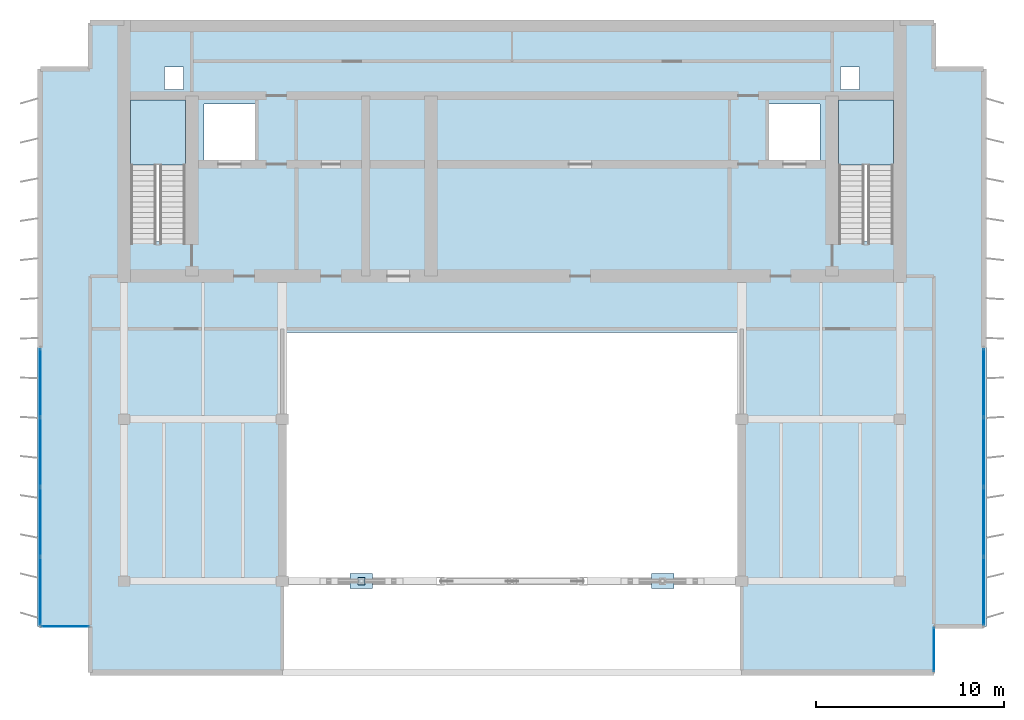
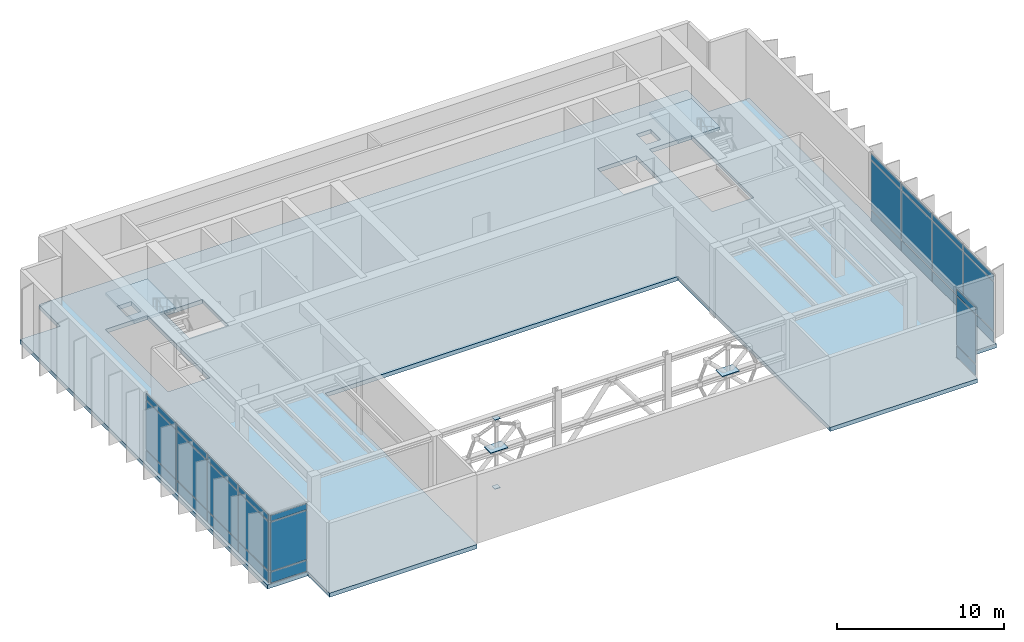
# One storey, part 5 of 10: 34 plates, 3 slabs, 6 elements without a shape of their own.
"""IFC4 building model written with IfcOpenShell, lengths in metres."""

from ifc_helpers import new_model, si_unit, direction, frame, origin, origin_2d, place, context, subcontext, project, spatial, polyline, rectangle, outline, extrude, material, layer, layer_set, type_object, element, aggregate, save


model = new_model("IFC4")

# Units and contexts
model_context = context("Model", 3, precision=1e-05, world=origin(), true_north=direction((0.0, 1.0)))
body_context = subcontext(model_context, "Body", "Model", "MODEL_VIEW")
ifc_project = project(units=[si_unit("LENGTHUNIT", "METRE"), si_unit("AREAUNIT", "SQUARE_METRE"), si_unit("VOLUMEUNIT", "CUBIC_METRE"), si_unit("PLANEANGLEUNIT", "RADIAN"), si_unit("MASSUNIT", "GRAM", prefix="KILO")], contexts=[model_context])

# Site, building, storey
site_placement = place(None, origin())
site = spatial("IfcSite", under=ifc_project, at=site_placement, CompositionType="ELEMENT")
building_placement = place(site_placement, origin())
building = spatial("IfcBuilding", under=site, at=building_placement, Name="Caelmar Bay Residences", CompositionType="ELEMENT")
storey_placement = place(building_placement, frame((0.0, 0.0, 284.800048828125)))
storey = spatial("IfcBuildingStorey", under=building, at=storey_placement, Name="L79", CompositionType="ELEMENT", Elevation=284.800048828125)

# Curtain wall, plates
ifc_material_1 = material(Name="Anodised bronze aluminium 6063-T6 and laminated glass", Category="aluminium")
ifc_layer_1 = layer(ifc_material_1, 0.179931640625)
ifc_layer_set_1 = layer_set([ifc_layer_1], Name="Anodised bronze aluminium 6063-T6 and laminated glass")
curtain_wall_type_1 = type_object("IfcCurtainWallType", Name="CW6-NTC", PredefinedType="NOTDEFINED", material=ifc_layer_set_1)
curtain_wall_1_placement = place(storey_placement, origin())
curtain_wall_1 = element("IfcCurtainWall", 1, at=curtain_wall_1_placement, inside=storey, type_object=curtain_wall_type_1, Name="CW6 curtain wall L79", PredefinedType="NOTDEFINED")
ifc_material_2 = material(Name="Bronze-tinted laminated low-E hurricane glass 28 mm", Category="glass")
ifc_layer_2 = layer(ifc_material_2, 0.028076171875)
ifc_layer_set_2 = layer_set([ifc_layer_2], Name="Bronze-tinted laminated low-E hurricane glass 28 mm")
plate_type_1 = type_object("IfcPlateType", Name="CWP-GLZ28", PredefinedType="CURTAIN_PANEL", material=ifc_layer_set_2)
plate_1_placement = place(storey_placement, frame((15.175048828125, 18.39990234375, 0.080078125), z_axis=(0.0, 0.0, 1.0), x_axis=(1.0, 0.0, 0.0)))
plate_1 = element("IfcPlate", 2, at=plate_1_placement, type_object=plate_type_1, Name="CW6 panel 1.1", PredefinedType="CURTAIN_PANEL", context=body_context, shape_type="SweptSolid", body=[
    extrude(rectangle(XDim=2.489990234375, YDim=0.028076171875, at=origin_2d()), origin(), (0.0, 0.0, 1.0), 0.780029296875),
])
plate_2_placement = place(storey_placement, frame((15.175048828125, 18.39990234375, 0.93994140625), z_axis=(0.0, 0.0, 1.0), x_axis=(1.0, 0.0, 0.0)))
plate_2 = element("IfcPlate", 3, at=plate_2_placement, type_object=plate_type_1, Name="CW6 panel 1.2", PredefinedType="CURTAIN_PANEL", context=body_context, shape_type="SweptSolid", body=[
    extrude(rectangle(XDim=2.489990234375, YDim=0.028076171875, at=origin_2d()), origin(), (0.0, 0.0, 1.0), 3.570068359375),
])
plate_3_placement = place(storey_placement, frame((15.175048828125, 18.39990234375, 4.58984375), z_axis=(0.0, 0.0, 1.0), x_axis=(1.0, 0.0, 0.0)))
plate_3 = element("IfcPlate", 4, at=plate_3_placement, type_object=plate_type_1, Name="CW6 panel 1.3", PredefinedType="CURTAIN_PANEL", context=body_context, shape_type="SweptSolid", body=[
    extrude(rectangle(XDim=2.489990234375, YDim=0.028076171875, at=origin_2d()), origin(), (0.0, 0.0, 1.0), 0.429931640625),
])
aggregate(curtain_wall_1, [plate_1, plate_2, plate_3])

curtain_wall_2_placement = place(storey_placement, origin())
curtain_wall_2 = element("IfcCurtainWall", 5, at=curtain_wall_2_placement, inside=storey, type_object=curtain_wall_type_1, Name="CW6 curtain wall L79", PredefinedType="NOTDEFINED")
plate_4_placement = place(storey_placement, frame((61.300048828125, 17.175048828125, 0.080078125), z_axis=(0.0, 0.0, 1.0), x_axis=(0.0, 1.0, 0.0)))
plate_4 = element("IfcPlate", 6, at=plate_4_placement, type_object=plate_type_1, Name="CW6 panel 1.1", PredefinedType="CURTAIN_PANEL", context=body_context, shape_type="SweptSolid", body=[
    extrude(rectangle(XDim=2.2900390625, YDim=0.028076171875, at=origin_2d()), origin(), (0.0, 0.0, 1.0), 0.780029296875),
])
plate_5_placement = place(storey_placement, frame((61.300048828125, 17.175048828125, 0.93994140625), z_axis=(0.0, 0.0, 1.0), x_axis=(0.0, 1.0, 0.0)))
plate_5 = element("IfcPlate", 7, at=plate_5_placement, type_object=plate_type_1, Name="CW6 panel 1.2", PredefinedType="CURTAIN_PANEL", context=body_context, shape_type="SweptSolid", body=[
    extrude(rectangle(XDim=2.2900390625, YDim=0.028076171875, at=origin_2d()), origin(), (0.0, 0.0, 1.0), 3.570068359375),
])
plate_6_placement = place(storey_placement, frame((61.300048828125, 17.175048828125, 4.58984375), z_axis=(0.0, 0.0, 1.0), x_axis=(0.0, 1.0, 0.0)))
plate_6 = element("IfcPlate", 8, at=plate_6_placement, type_object=plate_type_1, Name="CW6 panel 1.3", PredefinedType="CURTAIN_PANEL", context=body_context, shape_type="SweptSolid", body=[
    extrude(rectangle(XDim=2.2900390625, YDim=0.028076171875, at=origin_2d()), origin(), (0.0, 0.0, 1.0), 0.429931640625),
])
aggregate(curtain_wall_2, [plate_4, plate_5, plate_6])

ifc_layer_3 = layer(ifc_material_1, 0.179931640625)
ifc_layer_set_3 = layer_set([ifc_layer_3], Name="Anodised bronze aluminium 6063-T6 and laminated glass")
curtain_wall_type_2 = type_object("IfcCurtainWallType", Name="CW7-CRN", PredefinedType="NOTDEFINED", material=ifc_layer_set_3)
curtain_wall_3_placement = place(storey_placement, origin())
curtain_wall_3 = element("IfcCurtainWall", 9, at=curtain_wall_3_placement, inside=storey, type_object=curtain_wall_type_2, Name="CW7 curtain wall L79", PredefinedType="NOTDEFINED")
ifc_material_3 = material(Name="Bronze-tinted laminated low-E hurricane glass 32 mm", Category="glass")
ifc_layer_4 = layer(ifc_material_3, 0.031982421875)
ifc_layer_set_4 = layer_set([ifc_layer_4], Name="Bronze-tinted laminated low-E hurricane glass 32 mm")
plate_type_2 = type_object("IfcPlateType", Name="CWP-GLZ32", PredefinedType="CURTAIN_PANEL", material=ifc_layer_set_4)
plate_7_placement = place(storey_placement, frame((13.85009765625, 20.27001953125, 0.080078125), z_axis=(0.0, 0.0, 1.0), x_axis=(0.0, 1.0, 0.0)))
plate_7 = element("IfcPlate", 10, at=plate_7_placement, type_object=plate_type_2, Name="CW7 panel 1.1", PredefinedType="CURTAIN_PANEL", context=body_context, shape_type="SweptSolid", body=[
    extrude(rectangle(XDim=3.580078125, YDim=0.031982421875, at=origin_2d()), origin(), (0.0, 0.0, 1.0), 0.780029296875),
])
plate_8_placement = place(storey_placement, frame((13.85009765625, 20.27001953125, 0.93994140625), z_axis=(0.0, 0.0, 1.0), x_axis=(0.0, 1.0, 0.0)))
plate_8 = element("IfcPlate", 11, at=plate_8_placement, type_object=plate_type_2, Name="CW7 panel 1.2", PredefinedType="CURTAIN_PANEL", context=body_context, shape_type="SweptSolid", body=[
    extrude(rectangle(XDim=3.580078125, YDim=0.031982421875, at=origin_2d()), origin(), (0.0, 0.0, 1.0), 3.570068359375),
])
plate_9_placement = place(storey_placement, frame((13.85009765625, 20.27001953125, 4.58984375), z_axis=(0.0, 0.0, 1.0), x_axis=(0.0, 1.0, 0.0)))
plate_9 = element("IfcPlate", 12, at=plate_9_placement, type_object=plate_type_2, Name="CW7 panel 1.3", PredefinedType="CURTAIN_PANEL", context=body_context, shape_type="SweptSolid", body=[
    extrude(rectangle(XDim=3.580078125, YDim=0.031982421875, at=origin_2d()), origin(), (0.0, 0.0, 1.0), 0.429931640625),
])
plate_10_placement = place(storey_placement, frame((13.85009765625, 23.949951171875, 0.080078125), z_axis=(0.0, 0.0, 1.0), x_axis=(0.0, 1.0, 0.0)))
plate_10 = element("IfcPlate", 13, at=plate_10_placement, type_object=plate_type_2, Name="CW7 panel 2.1", PredefinedType="CURTAIN_PANEL", context=body_context, shape_type="SweptSolid", body=[
    extrude(rectangle(XDim=3.6201171875, YDim=0.031982421875, at=origin_2d()), origin(), (0.0, 0.0, 1.0), 0.780029296875),
])
plate_11_placement = place(storey_placement, frame((13.85009765625, 23.949951171875, 0.93994140625), z_axis=(0.0, 0.0, 1.0), x_axis=(0.0, 1.0, 0.0)))
plate_11 = element("IfcPlate", 14, at=plate_11_placement, type_object=plate_type_2, Name="CW7 panel 2.2", PredefinedType="CURTAIN_PANEL", context=body_context, shape_type="SweptSolid", body=[
    extrude(rectangle(XDim=3.6201171875, YDim=0.031982421875, at=origin_2d()), origin(), (0.0, 0.0, 1.0), 3.570068359375),
])
plate_12_placement = place(storey_placement, frame((13.85009765625, 23.949951171875, 4.58984375), z_axis=(0.0, 0.0, 1.0), x_axis=(0.0, 1.0, 0.0)))
plate_12 = element("IfcPlate", 15, at=plate_12_placement, type_object=plate_type_2, Name="CW7 panel 2.3", PredefinedType="CURTAIN_PANEL", context=body_context, shape_type="SweptSolid", body=[
    extrude(rectangle(XDim=3.6201171875, YDim=0.031982421875, at=origin_2d()), origin(), (0.0, 0.0, 1.0), 0.429931640625),
])
plate_13_placement = place(storey_placement, frame((13.85009765625, 27.64990234375, 0.080078125), z_axis=(0.0, 0.0, 1.0), x_axis=(0.0, 1.0, 0.0)))
plate_13 = element("IfcPlate", 16, at=plate_13_placement, type_object=plate_type_2, Name="CW7 panel 3.1", PredefinedType="CURTAIN_PANEL", context=body_context, shape_type="SweptSolid", body=[
    extrude(rectangle(XDim=3.6201171875, YDim=0.031982421875, at=origin_2d()), origin(), (0.0, 0.0, 1.0), 0.780029296875),
])
plate_14_placement = place(storey_placement, frame((13.85009765625, 27.64990234375, 0.93994140625), z_axis=(0.0, 0.0, 1.0), x_axis=(0.0, 1.0, 0.0)))
plate_14 = element("IfcPlate", 17, at=plate_14_placement, type_object=plate_type_2, Name="CW7 panel 3.2", PredefinedType="CURTAIN_PANEL", context=body_context, shape_type="SweptSolid", body=[
    extrude(rectangle(XDim=3.6201171875, YDim=0.031982421875, at=origin_2d()), origin(), (0.0, 0.0, 1.0), 3.570068359375),
])
plate_15_placement = place(storey_placement, frame((13.85009765625, 27.64990234375, 4.58984375), z_axis=(0.0, 0.0, 1.0), x_axis=(0.0, 1.0, 0.0)))
plate_15 = element("IfcPlate", 18, at=plate_15_placement, type_object=plate_type_2, Name="CW7 panel 3.3", PredefinedType="CURTAIN_PANEL", context=body_context, shape_type="SweptSolid", body=[
    extrude(rectangle(XDim=3.6201171875, YDim=0.031982421875, at=origin_2d()), origin(), (0.0, 0.0, 1.0), 0.429931640625),
])
plate_16_placement = place(storey_placement, frame((13.85009765625, 31.330078125, 0.080078125), z_axis=(0.0, 0.0, 1.0), x_axis=(0.0, 1.0, 0.0)))
plate_16 = element("IfcPlate", 19, at=plate_16_placement, type_object=plate_type_2, Name="CW7 panel 4.1", PredefinedType="CURTAIN_PANEL", context=body_context, shape_type="SweptSolid", body=[
    extrude(rectangle(XDim=3.580078125, YDim=0.031982421875, at=origin_2d()), origin(), (0.0, 0.0, 1.0), 0.780029296875),
])
plate_17_placement = place(storey_placement, frame((13.85009765625, 31.330078125, 0.93994140625), z_axis=(0.0, 0.0, 1.0), x_axis=(0.0, 1.0, 0.0)))
plate_17 = element("IfcPlate", 20, at=plate_17_placement, type_object=plate_type_2, Name="CW7 panel 4.2", PredefinedType="CURTAIN_PANEL", context=body_context, shape_type="SweptSolid", body=[
    extrude(rectangle(XDim=3.580078125, YDim=0.031982421875, at=origin_2d()), origin(), (0.0, 0.0, 1.0), 3.570068359375),
])
plate_18_placement = place(storey_placement, frame((13.85009765625, 31.330078125, 4.58984375), z_axis=(0.0, 0.0, 1.0), x_axis=(0.0, 1.0, 0.0)))
plate_18 = element("IfcPlate", 21, at=plate_18_placement, type_object=plate_type_2, Name="CW7 panel 4.3", PredefinedType="CURTAIN_PANEL", context=body_context, shape_type="SweptSolid", body=[
    extrude(rectangle(XDim=3.580078125, YDim=0.031982421875, at=origin_2d()), origin(), (0.0, 0.0, 1.0), 0.429931640625),
])
aggregate(curtain_wall_3, [plate_7, plate_8, plate_9, plate_10, plate_11, plate_12, plate_13, plate_14, plate_15, plate_16, plate_17, plate_18])

curtain_wall_4_placement = place(storey_placement, origin())
curtain_wall_4 = element("IfcCurtainWall", 22, at=curtain_wall_4_placement, inside=storey, type_object=curtain_wall_type_2, Name="CW7 curtain wall L79", PredefinedType="NOTDEFINED")
plate_19_placement = place(storey_placement, frame((63.949951171875, 31.330078125, 0.080078125), z_axis=(0.0, 0.0, 1.0), x_axis=(0.0, -1.0, 0.0)))
plate_19 = element("IfcPlate", 23, at=plate_19_placement, type_object=plate_type_2, Name="CW7 panel 1.1", PredefinedType="CURTAIN_PANEL", context=body_context, shape_type="SweptSolid", body=[
    extrude(rectangle(XDim=3.580078125, YDim=0.031982421875, at=origin_2d()), origin(), (0.0, 0.0, 1.0), 0.780029296875),
])
plate_20_placement = place(storey_placement, frame((63.949951171875, 31.330078125, 0.93994140625), z_axis=(0.0, 0.0, 1.0), x_axis=(0.0, -1.0, 0.0)))
plate_20 = element("IfcPlate", 24, at=plate_20_placement, type_object=plate_type_2, Name="CW7 panel 1.2", PredefinedType="CURTAIN_PANEL", context=body_context, shape_type="SweptSolid", body=[
    extrude(rectangle(XDim=3.580078125, YDim=0.031982421875, at=origin_2d()), origin(), (0.0, 0.0, 1.0), 3.570068359375),
])
plate_21_placement = place(storey_placement, frame((63.949951171875, 31.330078125, 4.58984375), z_axis=(0.0, 0.0, 1.0), x_axis=(0.0, -1.0, 0.0)))
plate_21 = element("IfcPlate", 25, at=plate_21_placement, type_object=plate_type_2, Name="CW7 panel 1.3", PredefinedType="CURTAIN_PANEL", context=body_context, shape_type="SweptSolid", body=[
    extrude(rectangle(XDim=3.580078125, YDim=0.031982421875, at=origin_2d()), origin(), (0.0, 0.0, 1.0), 0.429931640625),
])
plate_22_placement = place(storey_placement, frame((63.949951171875, 27.64990234375, 0.080078125), z_axis=(0.0, 0.0, 1.0), x_axis=(0.0, -1.0, 0.0)))
plate_22 = element("IfcPlate", 26, at=plate_22_placement, type_object=plate_type_2, Name="CW7 panel 2.1", PredefinedType="CURTAIN_PANEL", context=body_context, shape_type="SweptSolid", body=[
    extrude(rectangle(XDim=3.6201171875, YDim=0.031982421875, at=origin_2d()), origin(), (0.0, 0.0, 1.0), 0.780029296875),
])
plate_23_placement = place(storey_placement, frame((63.949951171875, 27.64990234375, 0.93994140625), z_axis=(0.0, 0.0, 1.0), x_axis=(0.0, -1.0, 0.0)))
plate_23 = element("IfcPlate", 27, at=plate_23_placement, type_object=plate_type_2, Name="CW7 panel 2.2", PredefinedType="CURTAIN_PANEL", context=body_context, shape_type="SweptSolid", body=[
    extrude(rectangle(XDim=3.6201171875, YDim=0.031982421875, at=origin_2d()), origin(), (0.0, 0.0, 1.0), 3.570068359375),
])
plate_24_placement = place(storey_placement, frame((63.949951171875, 27.64990234375, 4.58984375), z_axis=(0.0, 0.0, 1.0), x_axis=(0.0, -1.0, 0.0)))
plate_24 = element("IfcPlate", 28, at=plate_24_placement, type_object=plate_type_2, Name="CW7 panel 2.3", PredefinedType="CURTAIN_PANEL", context=body_context, shape_type="SweptSolid", body=[
    extrude(rectangle(XDim=3.6201171875, YDim=0.031982421875, at=origin_2d()), origin(), (0.0, 0.0, 1.0), 0.429931640625),
])
plate_25_placement = place(storey_placement, frame((63.949951171875, 23.949951171875, 0.080078125), z_axis=(0.0, 0.0, 1.0), x_axis=(0.0, -1.0, 0.0)))
plate_25 = element("IfcPlate", 29, at=plate_25_placement, type_object=plate_type_2, Name="CW7 panel 3.1", PredefinedType="CURTAIN_PANEL", context=body_context, shape_type="SweptSolid", body=[
    extrude(rectangle(XDim=3.6201171875, YDim=0.031982421875, at=origin_2d()), origin(), (0.0, 0.0, 1.0), 0.780029296875),
])
plate_26_placement = place(storey_placement, frame((63.949951171875, 23.949951171875, 0.93994140625), z_axis=(0.0, 0.0, 1.0), x_axis=(0.0, -1.0, 0.0)))
plate_26 = element("IfcPlate", 30, at=plate_26_placement, type_object=plate_type_2, Name="CW7 panel 3.2", PredefinedType="CURTAIN_PANEL", context=body_context, shape_type="SweptSolid", body=[
    extrude(rectangle(XDim=3.6201171875, YDim=0.031982421875, at=origin_2d()), origin(), (0.0, 0.0, 1.0), 3.570068359375),
])
plate_27_placement = place(storey_placement, frame((63.949951171875, 23.949951171875, 4.58984375), z_axis=(0.0, 0.0, 1.0), x_axis=(0.0, -1.0, 0.0)))
plate_27 = element("IfcPlate", 31, at=plate_27_placement, type_object=plate_type_2, Name="CW7 panel 3.3", PredefinedType="CURTAIN_PANEL", context=body_context, shape_type="SweptSolid", body=[
    extrude(rectangle(XDim=3.6201171875, YDim=0.031982421875, at=origin_2d()), origin(), (0.0, 0.0, 1.0), 0.429931640625),
])
plate_28_placement = place(storey_placement, frame((63.949951171875, 20.27001953125, 0.080078125), z_axis=(0.0, 0.0, 1.0), x_axis=(0.0, -1.0, 0.0)))
plate_28 = element("IfcPlate", 32, at=plate_28_placement, type_object=plate_type_2, Name="CW7 panel 4.1", PredefinedType="CURTAIN_PANEL", context=body_context, shape_type="SweptSolid", body=[
    extrude(rectangle(XDim=3.580078125, YDim=0.031982421875, at=origin_2d()), origin(), (0.0, 0.0, 1.0), 0.780029296875),
])
plate_29_placement = place(storey_placement, frame((63.949951171875, 20.27001953125, 0.93994140625), z_axis=(0.0, 0.0, 1.0), x_axis=(0.0, -1.0, 0.0)))
plate_29 = element("IfcPlate", 33, at=plate_29_placement, type_object=plate_type_2, Name="CW7 panel 4.2", PredefinedType="CURTAIN_PANEL", context=body_context, shape_type="SweptSolid", body=[
    extrude(rectangle(XDim=3.580078125, YDim=0.031982421875, at=origin_2d()), origin(), (0.0, 0.0, 1.0), 3.570068359375),
])
plate_30_placement = place(storey_placement, frame((63.949951171875, 20.27001953125, 4.58984375), z_axis=(0.0, 0.0, 1.0), x_axis=(0.0, -1.0, 0.0)))
plate_30 = element("IfcPlate", 34, at=plate_30_placement, type_object=plate_type_2, Name="CW7 panel 4.3", PredefinedType="CURTAIN_PANEL", context=body_context, shape_type="SweptSolid", body=[
    extrude(rectangle(XDim=3.580078125, YDim=0.031982421875, at=origin_2d()), origin(), (0.0, 0.0, 1.0), 0.429931640625),
])
aggregate(curtain_wall_4, [plate_19, plate_20, plate_21, plate_22, plate_23, plate_24, plate_25, plate_26, plate_27, plate_28, plate_29, plate_30])

# Plates
ifc_material_4 = material(Name="Steel ASTM A572 Grade 50", Category="steel")
ifc_layer_5 = layer(ifc_material_4, 0.044921875)
ifc_layer_set_5 = layer_set([ifc_layer_5], Name="Steel ASTM A572 Grade 50")
plate_type_3 = type_object("IfcPlateType", Name="PLT-CAP-45", PredefinedType="USERDEFINED", material=ifc_layer_set_5)
for number, where, z_axis, x_axis, name in (
    (35, (30.89990234375, 20.800048828125, -0.322509765625), (0.0, 0.0, 1.0), (1.0, 0.0, 0.0), "L79 Hollow-Section End-Cap Plate PLT-TURBPOST-B1"),
    (36, (30.89990234375, 20.800048828125, 4.719482421875), (0.0, 0.0, 1.0), (1.0, 0.0, 0.0), "L79 Hollow-Section End-Cap Plate PLT-TURBPOST-T1"),
):
    element("IfcPlate", number, at=place(storey_placement, frame(where, z_axis=z_axis, x_axis=x_axis)), inside=storey, type_object=plate_type_3, Name=name, ObjectType="CAP_PLATE", PredefinedType="USERDEFINED", context=body_context, shape_type="SweptSolid", body=[
        extrude(rectangle(XDim=0.3798828125, YDim=0.3798828125, at=origin_2d()), origin(), (0.0, 0.0, 1.0), 0.044921875),
    ])
ifc_layer_6 = layer(ifc_material_4, 0.044921875)
ifc_layer_set_6 = layer_set([ifc_layer_6], Name="Steel ASTM A572 Grade 50")
plate_type_4 = type_object("IfcPlateType", Name="PLT-SHD-45", PredefinedType="SHEET", material=ifc_layer_set_6)
for number, where, z_axis, x_axis, name in (
    (37, (30.89990234375, 20.800048828125, 2.568603515625), (0.0, 0.0, 1.0), (1.0, 0.0, 0.0), "Venturi Rotor 1 Nacelle Pedestal Bearing Plate"),
    (38, (46.89990234375, 20.800048828125, 2.568603515625), (0.0, 0.0, 1.0), (1.0, 0.0, 0.0), "Venturi Rotor 2 Nacelle Pedestal Bearing Plate"),
):
    element("IfcPlate", number, at=place(storey_placement, frame(where, z_axis=z_axis, x_axis=x_axis)), inside=storey, type_object=plate_type_4, Name=name, PredefinedType="SHEET", context=body_context, shape_type="SweptSolid", body=[
        extrude(rectangle(XDim=1.199951171875, YDim=0.800048828125, at=origin_2d()), origin(), (0.0, 0.0, 1.0), 0.044921875),
    ])

# Stair, slab
ifc_material_5 = material(Name="Concrete f'c 40 MPa (6,000 psi)", Category="concrete")
stair_type = type_object("IfcStairType", Name="ST-TAL-170", PredefinedType="HALF_TURN_STAIR", material=ifc_material_5)
stair_1_placement = place(storey_placement, origin())
stair_1 = element("IfcStair", 39, at=stair_1_placement, inside=storey, type_object=stair_type, Name="L79 West Smokeproof Exit Stair ST1", PredefinedType="HALF_TURN_STAIR")
ifc_layer_7 = layer(ifc_material_5, 0.199951171875)
ifc_layer_set_7 = layer_set([ifc_layer_7], Name="Concrete f'c 40 MPa (6,000 psi)")
slab_type_1 = type_object("IfcSlabType", Name="SLB-LND-200", PredefinedType="LANDING", material=ifc_layer_set_7)
slab_1_placement = place(storey_placement, frame((0.0, 0.0, 2.5)))
slab_1 = element("IfcSlab", 40, at=slab_1_placement, type_object=slab_type_1, Name="ST1 landing 1", PredefinedType="LANDING", context=body_context, shape_type="SweptSolid", body=[
    extrude(outline(polyline([(21.550048828125, 42.89990234375), (21.550048828125, 46.35009765625), (18.64990234375, 46.35009765625), (18.64990234375, 42.89990234375), (21.550048828125, 42.89990234375)])), origin(), (0.0, 0.0, 1.0), 0.199951171875),
])
aggregate(stair_1, [slab_1])

stair_2_placement = place(storey_placement, origin())
stair_2 = element("IfcStair", 41, at=stair_2_placement, inside=storey, type_object=stair_type, Name="L79 East Smokeproof Exit Stair ST2", PredefinedType="HALF_TURN_STAIR")
slab_2_placement = place(storey_placement, frame((0.0, 0.0, 2.5)))
slab_2 = element("IfcSlab", 42, at=slab_2_placement, type_object=slab_type_1, Name="ST2 landing 1", PredefinedType="LANDING", context=body_context, shape_type="SweptSolid", body=[
    extrude(outline(polyline([(59.14990234375, 42.89990234375), (59.14990234375, 46.35009765625), (56.25, 46.35009765625), (56.25, 42.89990234375), (59.14990234375, 42.89990234375)])), origin(), (0.0, 0.0, 1.0), 0.199951171875),
])
aggregate(stair_2, [slab_2])

# Slab
ifc_layer_8 = layer(ifc_material_5, 0.300048828125)
ifc_layer_set_8 = layer_set([ifc_layer_8], Name="Concrete f'c 40 MPa (6,000 psi)")
slab_type_2 = type_object("IfcSlabType", Name="SLB-POD-300", PredefinedType="FLOOR", material=ifc_layer_set_8)
slab_3_placement = place(storey_placement, frame((0.0, 0.0, -0.300048828125)))
element("IfcSlab", 43, at=slab_3_placement, inside=storey, type_object=slab_type_2, Name="L79 Structural Floor Slab", PredefinedType="FLOOR", context=body_context, shape_type="SweptSolid", body=[
    extrude(outline(polyline([(26.699951171875, 15.800048828125), (26.699951171875, 34.0), (51.10009765625, 34.0), (51.10009765625, 15.800048828125), (61.300048828125, 15.800048828125), (61.300048828125, 18.39990234375), (64.10009765625, 18.39990234375), (64.10009765625, 48.0), (61.300048828125, 48.0), (61.300048828125, 50.60009765625), (16.5, 50.60009765625), (16.5, 48.0), (13.699951171875, 48.0), (13.699951171875, 18.39990234375), (16.5, 18.39990234375), (16.5, 15.800048828125), (26.699951171875, 15.800048828125)]), holes=[polyline([(18.64990234375, 38.85009765625), (21.550048828125, 38.85009765625), (21.550048828125, 46.35009765625), (18.64990234375, 46.35009765625), (18.64990234375, 38.85009765625)]), polyline([(56.25, 38.85009765625), (59.14990234375, 38.85009765625), (59.14990234375, 46.35009765625), (56.25, 46.35009765625), (56.25, 38.85009765625)]), polyline([(22.550048828125, 43.050048828125), (25.25, 43.050048828125), (25.25, 46.14990234375), (22.550048828125, 46.14990234375), (22.550048828125, 43.050048828125)]), polyline([(52.550048828125, 43.050048828125), (55.25, 43.050048828125), (55.25, 46.14990234375), (52.550048828125, 46.14990234375), (52.550048828125, 43.050048828125)]), polyline([(20.449951171875, 46.89990234375), (21.449951171875, 46.89990234375), (21.449951171875, 48.10009765625), (20.449951171875, 48.10009765625), (20.449951171875, 46.89990234375)]), polyline([(56.35009765625, 46.89990234375), (57.35009765625, 46.89990234375), (57.35009765625, 48.10009765625), (56.35009765625, 48.10009765625), (56.35009765625, 46.89990234375)])]), origin(), (0.0, 0.0, 1.0), 0.300048828125),
])

save(model, "model.ifc")
